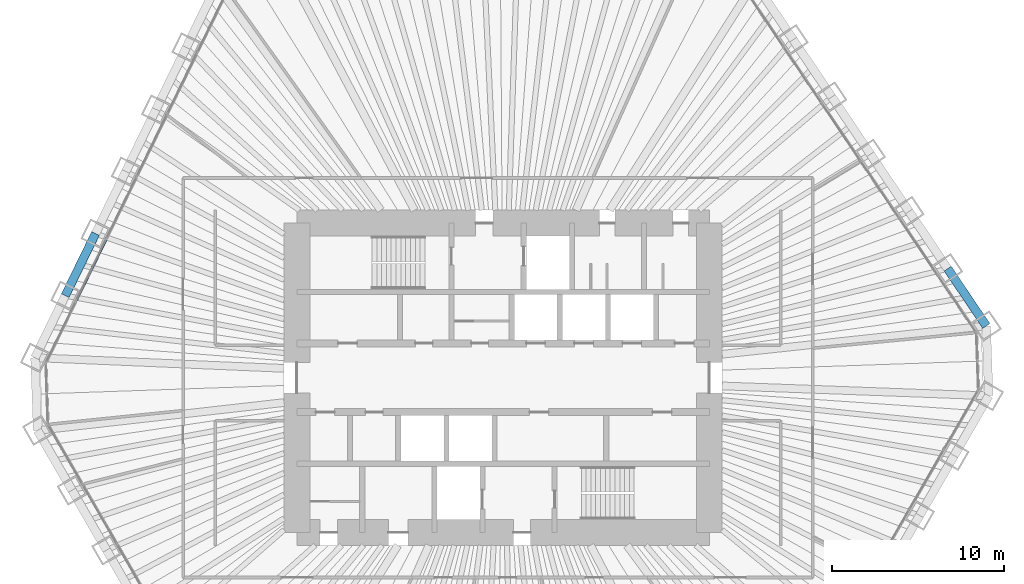
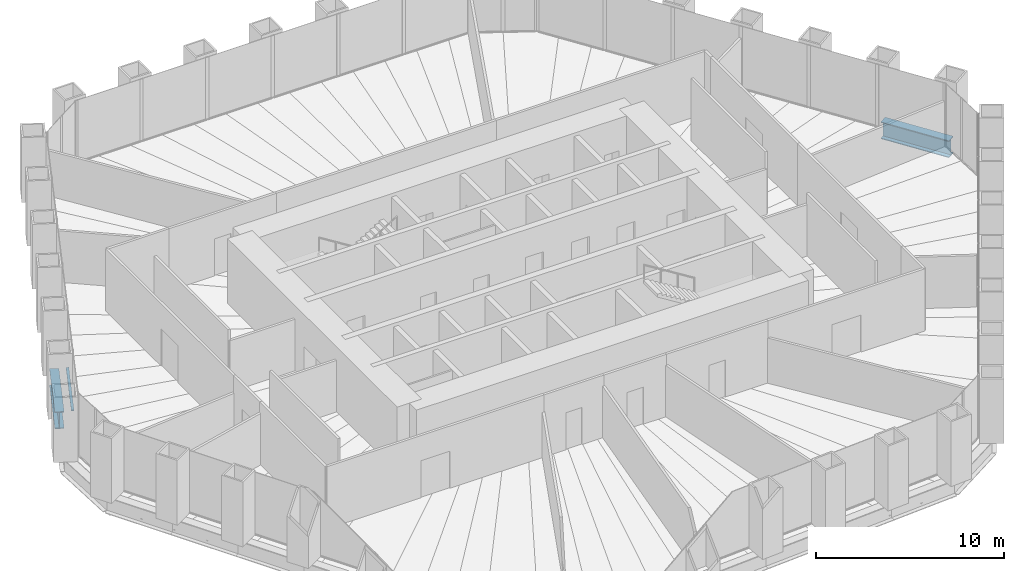
# One storey, part 5 of 13: 2 beams, 1 member, 1 element without a shape of its own.
"""IFC4 building model written with IfcOpenShell, lengths in metres."""

from ifc_helpers import new_model, si_unit, direction, frame, origin, origin_2d, place, context, subcontext, project, spatial, rectangle, i_section, extrude, material, material_profile, profile_set, type_object, element, aggregate, save


model = new_model("IFC4")

# Units and contexts
model_context = context("Model", 3, precision=1e-05, world=origin(), true_north=direction((0.0, 1.0)))
body_context = subcontext(model_context, "Body", "Model", "MODEL_VIEW")
ifc_project = project(units=[si_unit("LENGTHUNIT", "METRE"), si_unit("AREAUNIT", "SQUARE_METRE"), si_unit("VOLUMEUNIT", "CUBIC_METRE"), si_unit("PLANEANGLEUNIT", "RADIAN"), si_unit("MASSUNIT", "GRAM", prefix="KILO")], contexts=[model_context])

# Site, building, storey
site_placement = place(None, origin())
site = spatial("IfcSite", under=ifc_project, at=site_placement, CompositionType="ELEMENT")
building_placement = place(site_placement, origin())
building = spatial("IfcBuilding", under=site, at=building_placement, Name="Qingtian Harvest Tower", CompositionType="ELEMENT")
storey_placement = place(building_placement, frame((0.0, 0.0, 115.60009765625)))
storey = spatial("IfcBuildingStorey", under=building, at=storey_placement, Name="L23", CompositionType="ELEMENT", Elevation=115.60009765625)

# Beams
ifc_material_1 = material(Name="Steel SM570MC", Category="steel")
ifc_material_profile_1 = material_profile(ifc_material_1, i_section(OverallWidth=0.5, OverallDepth=1.10009765625, WebThickness=0.02490234375, FlangeThickness=0.050048828125, at=origin_2d()), Name="H1100x500x25x50")
ifc_profile_set_1 = profile_set([ifc_material_profile_1], Name="Steel SM570MC")
beam_type = type_object("IfcBeamType", Name="Spandrel beam SB2 H1100x500x25x50", PredefinedType="SPANDREL", material=ifc_profile_set_1)
for number, where, z_axis, x_axis, name in (
    (1, (25.8720703125, 6.3505859375, -0.550048828125), (0.55916400171, -0.829057066306, 0.0), (0.829057066306, 0.55916400171, 0.0), "Spandrel SB2 NE5"),
    (2, (-25.483154296875, 4.78125, -0.550048828125), (0.438396105405, 0.89878187274, 0.0), (-0.89878187274, 0.438396105405, 0.0), "Spandrel SB2 NW1"),
):
    element("IfcBeam", number, at=place(storey_placement, frame(where, z_axis=z_axis, x_axis=x_axis)), inside=storey, type_object=beam_type, Name=name, PredefinedType="SPANDREL", context=body_context, shape_type="SweptSolid", body=[
        extrude(i_section(OverallWidth=0.5, OverallDepth=1.10009765625, WebThickness=0.02490234375, FlangeThickness=0.050048828125, at=origin_2d()), origin(), (0.0, 0.0, 1.0), 4.01904296875),
    ])

# Curtain wall, member
ifc_material_2 = material(Name="Bronze-anodised aluminium curtain wall", Category="aluminium")
curtain_wall_type = type_object("IfcCurtainWallType", Name="Curtain wall CW4 office", PredefinedType="USERDEFINED", material=ifc_material_2)
curtain_wall_placement = place(storey_placement, origin())
curtain_wall = element("IfcCurtainWall", 3, at=curtain_wall_placement, inside=storey, type_object=curtain_wall_type, Name="Curtain wall CW4 L23 NW0-5", ObjectType="RECESSED CURTAIN WALL", PredefinedType="USERDEFINED")
ifc_material_3 = material(Name="Bronze-anodised aluminium transom", Category="aluminium")
ifc_material_profile_2 = material_profile(ifc_material_3, rectangle(XDim=0.14990234375, YDim=0.06494140625, at=origin_2d()), Name="AL 65x150")
ifc_profile_set_2 = profile_set([ifc_material_profile_2], Name="Bronze-anodised aluminium transom")
member_type = type_object("IfcMemberType", Name="Transom CWT 65x150", PredefinedType="USERDEFINED", material=ifc_profile_set_2)
member_placement = place(storey_placement, frame((-24.839599609375, 4.503662109375, 0.032470703125), z_axis=(0.438374972828, 0.898792180205, 0.0), x_axis=(-0.898792180205, 0.438374972828, 0.0)))
member = element("IfcMember", 4, at=member_placement, type_object=member_type, Name="CW4 transom 2.1", ObjectType="TRANSOM", PredefinedType="USERDEFINED", context=body_context, shape_type="SweptSolid", body=[
    extrude(rectangle(XDim=0.14990234375, YDim=0.06494140625, at=origin_2d()), origin(), (0.0, 0.0, 1.0), 3.9541015625),
])
aggregate(curtain_wall, [member])

save(model, "model.ifc")
